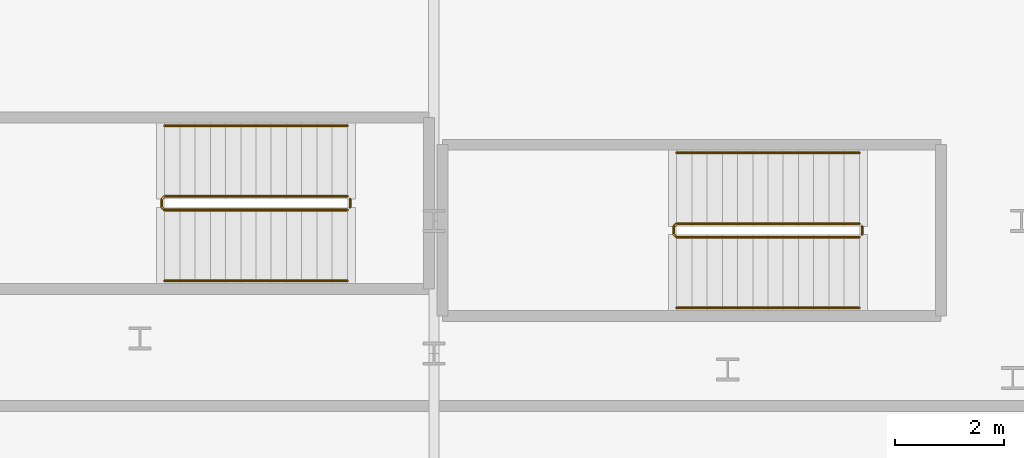
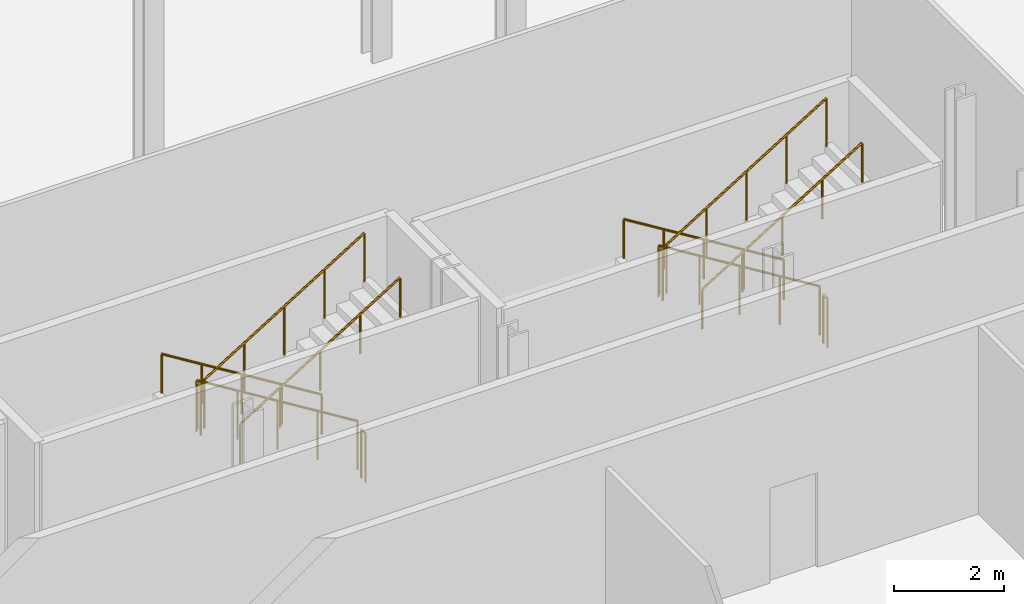
# One storey, part 41 of 47: 8 railings.
"""IFC4 building model written with IfcOpenShell, lengths in metres."""

from ifc_helpers import new_model, si_unit, direction, frame, origin, origin_2d, place, context, subcontext, project, spatial, circle, extrude, material, type_object, element, save


model = new_model("IFC4")

# Units and contexts
model_context = context("Model", 3, precision=1e-05, world=origin(), true_north=direction((0.0, 1.0)))
body_context = subcontext(model_context, "Body", "Model", "MODEL_VIEW")
ifc_project = project(units=[si_unit("LENGTHUNIT", "METRE"), si_unit("AREAUNIT", "SQUARE_METRE"), si_unit("VOLUMEUNIT", "CUBIC_METRE"), si_unit("PLANEANGLEUNIT", "RADIAN"), si_unit("MASSUNIT", "GRAM", prefix="KILO")], contexts=[model_context])

# Site, building, storey
site_placement = place(None, origin())
site = spatial("IfcSite", under=ifc_project, at=site_placement, CompositionType="ELEMENT")
building_placement = place(site_placement, origin())
building = spatial("IfcBuilding", under=site, at=building_placement, Name="Kheshtan School and Residences Tower", CompositionType="ELEMENT")
storey_placement = place(building_placement, frame((0.0, 0.0, 12.5)))
storey = spatial("IfcBuildingStorey", under=building, at=storey_placement, Name="L02", CompositionType="ELEMENT", Elevation=12.5)

# Railings
ifc_material_1 = material(Name="Stainless steel balustrade", Category="steel")
railing_type_1 = type_object("IfcRailingType", Name="Stair guard 1100", PredefinedType="GUARDRAIL", material=ifc_material_1)
railing_1_placement = place(storey_placement, frame((87.820068359375, 23.949951171875, 0.173095703125)))
element("IfcRailing", 1, at=railing_1_placement, inside=storey, type_object=railing_type_1, Name="L02 ST4 stair guard 1", PredefinedType="GUARDRAIL", context=body_context, shape_type="SweptSolid", body=[
    extrude(circle(Radius=0.02392578125, at=origin_2d()), frame((0.0, 0.0, 1.076171875), z_axis=(-0.850623216509, 0.0, 0.525775754039), x_axis=(0.0, -1.0, 0.0)), (0.0, 0.0, 1.0), 3.9501953125),
    extrude(circle(Radius=0.02392578125, at=origin_2d()), frame((-3.360107421875, 0.0, 3.15283203125), z_axis=(-0.707106781187, -0.707106781187, 0.0), x_axis=(0.707106781187, -0.707106781187, 0.0)), (0.0, 0.0, 1.0), 0.07080078125),
    extrude(circle(Radius=0.02392578125, at=origin_2d()), frame((-3.41015625, -0.050048828125, 3.15283203125), z_axis=(0.0, -1.0, 0.0), x_axis=(1.0, 0.0, 0.0)), (0.0, 0.0, 1.0), 0.14990234375),
    extrude(circle(Radius=0.02392578125, at=origin_2d()), frame((-3.41015625, -0.199951171875, 3.15283203125), z_axis=(0.267629722418, -0.267629722418, 0.925607186314), x_axis=(0.707106781187, 0.707106781187, 0.0)), (0.0, 0.0, 1.0), 0.18701171875),
    extrude(circle(Radius=0.02392578125, at=origin_2d()), frame((-3.360107421875, -0.25, 3.326171875), z_axis=(0.850623216509, 0.0, 0.525775754039), x_axis=(0.0, 1.0, 0.0)), (0.0, 0.0, 1.0), 3.9501953125),
    extrude(circle(Radius=0.02099609375, at=origin_2d()), origin(), (0.0, 0.0, 1.0), 1.052001953125),
    extrude(circle(Radius=0.02099609375, at=origin_2d()), frame((-0.840087890625, 0.0, 0.519287109375)), (0.0, 0.0, 1.0), 1.052001953125),
    extrude(circle(Radius=0.02099609375, at=origin_2d()), frame((-1.68017578125, 0.0, 1.03857421875)), (0.0, 0.0, 1.0), 1.052001953125),
    extrude(circle(Radius=0.02099609375, at=origin_2d()), frame((-2.52001953125, 0.0, 1.5576171875)), (0.0, 0.0, 1.0), 1.052001953125),
    extrude(circle(Radius=0.02099609375, at=origin_2d()), frame((-3.360107421875, 0.0, 2.076904296875)), (0.0, 0.0, 1.0), 1.052001953125),
    extrude(circle(Radius=0.02099609375, at=origin_2d()), frame((-3.41015625, -0.050048828125, 2.076904296875)), (0.0, 0.0, 1.0), 1.052001953125),
    extrude(circle(Radius=0.02099609375, at=origin_2d()), frame((-3.41015625, -0.199951171875, 2.076904296875)), (0.0, 0.0, 1.0), 1.052001953125),
    extrude(circle(Radius=0.02099609375, at=origin_2d()), frame((-3.360107421875, -0.25, 2.25)), (0.0, 0.0, 1.0), 1.052001953125),
    extrude(circle(Radius=0.02099609375, at=origin_2d()), frame((-2.52001953125, -0.25, 2.769287109375)), (0.0, 0.0, 1.0), 1.052001953125),
    extrude(circle(Radius=0.02099609375, at=origin_2d()), frame((-1.68017578125, -0.25, 3.28857421875)), (0.0, 0.0, 1.0), 1.052001953125),
    extrude(circle(Radius=0.02099609375, at=origin_2d()), frame((-0.840087890625, -0.25, 3.8076171875)), (0.0, 0.0, 1.0), 1.052001953125),
    extrude(circle(Radius=0.02099609375, at=origin_2d()), frame((0.0, -0.25, 4.326904296875)), (0.0, 0.0, 1.0), 1.052001953125),
])
railing_2_placement = place(storey_placement, frame((87.8701171875, 23.89990234375, 0.0)))
element("IfcRailing", 2, at=railing_2_placement, inside=storey, type_object=railing_type_1, Name="L02 ST4 stair guard 2", PredefinedType="GUARDRAIL", context=body_context, shape_type="SweptSolid", body=[
    extrude(circle(Radius=0.02392578125, at=origin_2d()), frame((0.0, 0.0, 1.076171875), z_axis=(0.0, -1.0, 0.0), x_axis=(1.0, 0.0, 0.0)), (0.0, 0.0, 1.0), 0.14990234375),
    extrude(circle(Radius=0.02099609375, at=origin_2d()), origin(), (0.0, 0.0, 1.0), 1.052001953125),
    extrude(circle(Radius=0.02099609375, at=origin_2d()), frame((0.0, -0.14990234375, 0.0)), (0.0, 0.0, 1.0), 1.052001953125),
])
railing_3_placement = place(storey_placement, frame((78.409912109375, 24.449951171875, 0.173095703125)))
element("IfcRailing", 3, at=railing_3_placement, inside=storey, type_object=railing_type_1, Name="L02 ST5 stair guard 1", PredefinedType="GUARDRAIL", context=body_context, shape_type="SweptSolid", body=[
    extrude(circle(Radius=0.02392578125, at=origin_2d()), frame((0.0, 0.0, 1.076171875), z_axis=(-0.850606129759, 0.0, 0.525803396734), x_axis=(0.0, -1.0, 0.0)), (0.0, 0.0, 1.0), 3.949951171875),
    extrude(circle(Radius=0.02392578125, at=origin_2d()), frame((-3.35986328125, 0.0, 3.15283203125), z_axis=(-0.707106781187, -0.707106781187, 0.0), x_axis=(0.707106781187, -0.707106781187, 0.0)), (0.0, 0.0, 1.0), 0.07080078125),
    extrude(circle(Radius=0.02392578125, at=origin_2d()), frame((-3.409912109375, -0.050048828125, 3.15283203125), z_axis=(0.0, -1.0, 0.0), x_axis=(1.0, 0.0, 0.0)), (0.0, 0.0, 1.0), 0.14990234375),
    extrude(circle(Radius=0.02392578125, at=origin_2d()), frame((-3.409912109375, -0.199951171875, 3.15283203125), z_axis=(0.267629722418, -0.267629722418, 0.925607186314), x_axis=(0.707106781187, 0.707106781187, 0.0)), (0.0, 0.0, 1.0), 0.18701171875),
    extrude(circle(Radius=0.02392578125, at=origin_2d()), frame((-3.35986328125, -0.25, 3.326171875), z_axis=(0.850606129759, 0.0, 0.525803396734), x_axis=(0.0, 1.0, 0.0)), (0.0, 0.0, 1.0), 3.949951171875),
    extrude(circle(Radius=0.02099609375, at=origin_2d()), origin(), (0.0, 0.0, 1.0), 1.052001953125),
    extrude(circle(Radius=0.02099609375, at=origin_2d()), frame((-0.83984375, 0.0, 0.519287109375)), (0.0, 0.0, 1.0), 1.052001953125),
    extrude(circle(Radius=0.02099609375, at=origin_2d()), frame((-1.679931640625, 0.0, 1.03857421875)), (0.0, 0.0, 1.0), 1.052001953125),
    extrude(circle(Radius=0.02099609375, at=origin_2d()), frame((-2.52001953125, 0.0, 1.5576171875)), (0.0, 0.0, 1.0), 1.052001953125),
    extrude(circle(Radius=0.02099609375, at=origin_2d()), frame((-3.35986328125, 0.0, 2.076904296875)), (0.0, 0.0, 1.0), 1.052001953125),
    extrude(circle(Radius=0.02099609375, at=origin_2d()), frame((-3.409912109375, -0.050048828125, 2.076904296875)), (0.0, 0.0, 1.0), 1.052001953125),
    extrude(circle(Radius=0.02099609375, at=origin_2d()), frame((-3.409912109375, -0.199951171875, 2.076904296875)), (0.0, 0.0, 1.0), 1.052001953125),
    extrude(circle(Radius=0.02099609375, at=origin_2d()), frame((-3.35986328125, -0.25, 2.25)), (0.0, 0.0, 1.0), 1.052001953125),
    extrude(circle(Radius=0.02099609375, at=origin_2d()), frame((-2.52001953125, -0.25, 2.769287109375)), (0.0, 0.0, 1.0), 1.052001953125),
    extrude(circle(Radius=0.02099609375, at=origin_2d()), frame((-1.679931640625, -0.25, 3.28857421875)), (0.0, 0.0, 1.0), 1.052001953125),
    extrude(circle(Radius=0.02099609375, at=origin_2d()), frame((-0.83984375, -0.25, 3.8076171875)), (0.0, 0.0, 1.0), 1.052001953125),
    extrude(circle(Radius=0.02099609375, at=origin_2d()), frame((0.0, -0.25, 4.326904296875)), (0.0, 0.0, 1.0), 1.052001953125),
])
railing_4_placement = place(storey_placement, frame((78.4599609375, 24.39990234375, 0.0)))
element("IfcRailing", 4, at=railing_4_placement, inside=storey, type_object=railing_type_1, Name="L02 ST5 stair guard 2", PredefinedType="GUARDRAIL", context=body_context, shape_type="SweptSolid", body=[
    extrude(circle(Radius=0.02392578125, at=origin_2d()), frame((0.0, 0.0, 1.076171875), z_axis=(0.0, -1.0, 0.0), x_axis=(1.0, 0.0, 0.0)), (0.0, 0.0, 1.0), 0.14990234375),
    extrude(circle(Radius=0.02099609375, at=origin_2d()), origin(), (0.0, 0.0, 1.0), 1.052001953125),
    extrude(circle(Radius=0.02099609375, at=origin_2d()), frame((0.0, -0.14990234375, 0.0)), (0.0, 0.0, 1.0), 1.052001953125),
])
ifc_material_2 = material(Name="Stainless steel handrail", Category="steel")
railing_type_2 = type_object("IfcRailingType", Name="Stair handrail 900", PredefinedType="HANDRAIL", material=ifc_material_2)
railing_5_placement = place(storey_placement, frame((87.820068359375, 25.25, 0.173095703125)))
element("IfcRailing", 5, at=railing_5_placement, inside=storey, type_object=railing_type_2, Name="L02 ST4 stair handrail 1", PredefinedType="HANDRAIL", context=body_context, shape_type="SweptSolid", body=[
    extrude(circle(Radius=0.02392578125, at=origin_2d()), frame((0.0, 0.0, 0.8759765625), z_axis=(-0.850623216509, 0.0, 0.525775754039), x_axis=(0.0, -1.0, 0.0)), (0.0, 0.0, 1.0), 3.9501953125),
    extrude(circle(Radius=0.02099609375, at=origin_2d()), origin(), (0.0, 0.0, 1.0), 0.851806640625),
    extrude(circle(Radius=0.02099609375, at=origin_2d()), frame((-0.840087890625, 0.0, 0.519287109375)), (0.0, 0.0, 1.0), 0.851806640625),
    extrude(circle(Radius=0.02099609375, at=origin_2d()), frame((-1.68017578125, 0.0, 1.03857421875)), (0.0, 0.0, 1.0), 0.851806640625),
    extrude(circle(Radius=0.02099609375, at=origin_2d()), frame((-2.52001953125, 0.0, 1.5576171875)), (0.0, 0.0, 1.0), 0.851806640625),
    extrude(circle(Radius=0.02099609375, at=origin_2d()), frame((-3.360107421875, 0.0, 2.076904296875)), (0.0, 0.0, 1.0), 0.851806640625),
])
railing_6_placement = place(storey_placement, frame((84.4599609375, 22.39990234375, 2.423095703125)))
element("IfcRailing", 6, at=railing_6_placement, inside=storey, type_object=railing_type_2, Name="L02 ST4 stair handrail 2", PredefinedType="HANDRAIL", context=body_context, shape_type="SweptSolid", body=[
    extrude(circle(Radius=0.02392578125, at=origin_2d()), frame((0.0, 0.0, 0.8759765625), z_axis=(0.850623216509, 0.0, 0.525775754039), x_axis=(0.0, 1.0, 0.0)), (0.0, 0.0, 1.0), 3.9501953125),
    extrude(circle(Radius=0.02099609375, at=origin_2d()), origin(), (0.0, 0.0, 1.0), 0.851806640625),
    extrude(circle(Radius=0.02099609375, at=origin_2d()), frame((0.840087890625, 0.0, 0.519287109375)), (0.0, 0.0, 1.0), 0.851806640625),
    extrude(circle(Radius=0.02099609375, at=origin_2d()), frame((1.68017578125, 0.0, 1.03857421875)), (0.0, 0.0, 1.0), 0.851806640625),
    extrude(circle(Radius=0.02099609375, at=origin_2d()), frame((2.52001953125, 0.0, 1.5576171875)), (0.0, 0.0, 1.0), 0.851806640625),
    extrude(circle(Radius=0.02099609375, at=origin_2d()), frame((3.360107421875, 0.0, 2.076904296875)), (0.0, 0.0, 1.0), 0.851806640625),
])
railing_7_placement = place(storey_placement, frame((78.409912109375, 25.75, 0.173095703125)))
element("IfcRailing", 7, at=railing_7_placement, inside=storey, type_object=railing_type_2, Name="L02 ST5 stair handrail 1", PredefinedType="HANDRAIL", context=body_context, shape_type="SweptSolid", body=[
    extrude(circle(Radius=0.02392578125, at=origin_2d()), frame((0.0, 0.0, 0.8759765625), z_axis=(-0.850606129759, 0.0, 0.525803396734), x_axis=(0.0, -1.0, 0.0)), (0.0, 0.0, 1.0), 3.949951171875),
    extrude(circle(Radius=0.02099609375, at=origin_2d()), origin(), (0.0, 0.0, 1.0), 0.851806640625),
    extrude(circle(Radius=0.02099609375, at=origin_2d()), frame((-0.83984375, 0.0, 0.519287109375)), (0.0, 0.0, 1.0), 0.851806640625),
    extrude(circle(Radius=0.02099609375, at=origin_2d()), frame((-1.679931640625, 0.0, 1.03857421875)), (0.0, 0.0, 1.0), 0.851806640625),
    extrude(circle(Radius=0.02099609375, at=origin_2d()), frame((-2.52001953125, 0.0, 1.5576171875)), (0.0, 0.0, 1.0), 0.851806640625),
    extrude(circle(Radius=0.02099609375, at=origin_2d()), frame((-3.35986328125, 0.0, 2.076904296875)), (0.0, 0.0, 1.0), 0.851806640625),
])
railing_8_placement = place(storey_placement, frame((75.050048828125, 22.89990234375, 2.423095703125)))
element("IfcRailing", 8, at=railing_8_placement, inside=storey, type_object=railing_type_2, Name="L02 ST5 stair handrail 2", PredefinedType="HANDRAIL", context=body_context, shape_type="SweptSolid", body=[
    extrude(circle(Radius=0.02392578125, at=origin_2d()), frame((0.0, 0.0, 0.8759765625), z_axis=(0.850606129759, 0.0, 0.525803396734), x_axis=(0.0, 1.0, 0.0)), (0.0, 0.0, 1.0), 3.949951171875),
    extrude(circle(Radius=0.02099609375, at=origin_2d()), origin(), (0.0, 0.0, 1.0), 0.851806640625),
    extrude(circle(Radius=0.02099609375, at=origin_2d()), frame((0.83984375, 0.0, 0.519287109375)), (0.0, 0.0, 1.0), 0.851806640625),
    extrude(circle(Radius=0.02099609375, at=origin_2d()), frame((1.679931640625, 0.0, 1.03857421875)), (0.0, 0.0, 1.0), 0.851806640625),
    extrude(circle(Radius=0.02099609375, at=origin_2d()), frame((2.52001953125, 0.0, 1.5576171875)), (0.0, 0.0, 1.0), 0.851806640625),
    extrude(circle(Radius=0.02099609375, at=origin_2d()), frame((3.35986328125, 0.0, 2.076904296875)), (0.0, 0.0, 1.0), 0.851806640625),
])

save(model, "model.ifc")
